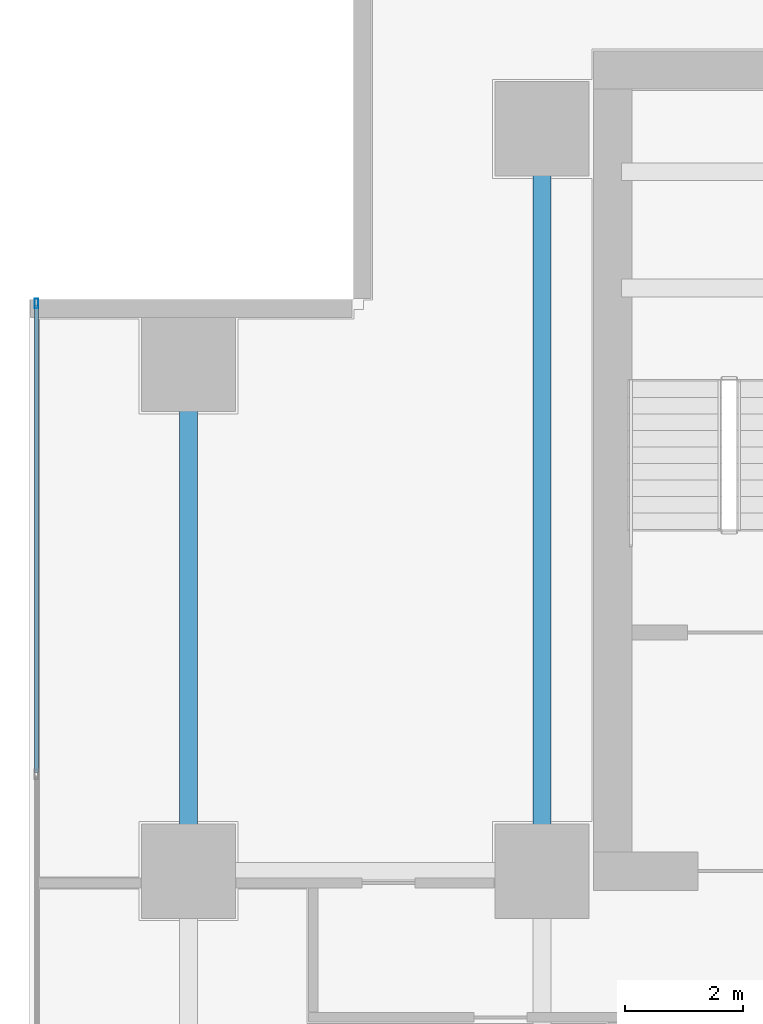
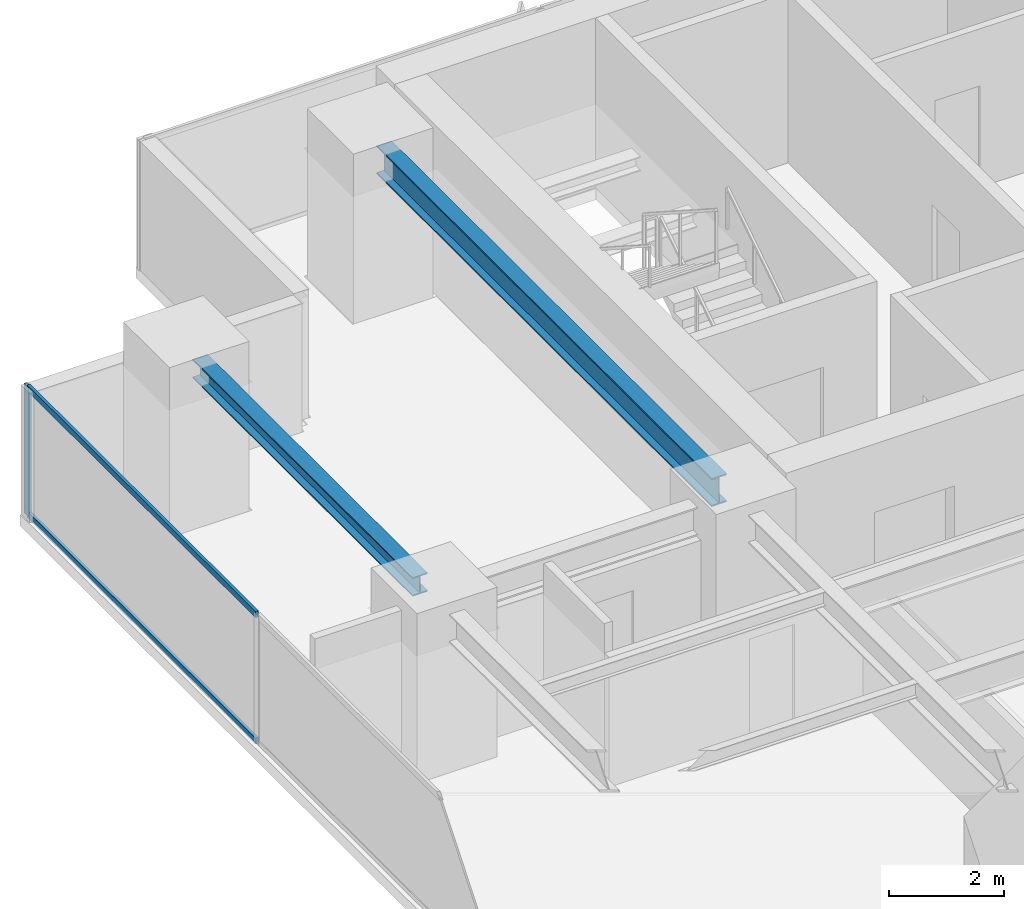
# One storey, part 18 of 35: 3 members, 2 beams, 1 element without a shape of its own.
"""IFC4 building model written with IfcOpenShell, lengths in metres."""

from ifc_helpers import new_model, si_unit, direction, frame, origin, origin_2d, place, context, subcontext, project, spatial, hollow_rectangle, i_section, extrude, source, transform, mapped, material, layer, layer_set, material_profile, profile_set, type_object, element, aggregate, save


model = new_model("IFC4")

# Units and contexts
model_context = context("Model", 3, precision=1e-05, world=origin(), true_north=direction((0.0, 1.0)))
body_context = subcontext(model_context, "Body", "Model", "MODEL_VIEW")
ifc_project = project(units=[si_unit("LENGTHUNIT", "METRE"), si_unit("AREAUNIT", "SQUARE_METRE"), si_unit("VOLUMEUNIT", "CUBIC_METRE"), si_unit("PLANEANGLEUNIT", "RADIAN"), si_unit("MASSUNIT", "GRAM", prefix="KILO")], contexts=[model_context])

# Site, building, storey
site_placement = place(None, origin())
site = spatial("IfcSite", under=ifc_project, at=site_placement, CompositionType="ELEMENT")
building_placement = place(site_placement, origin())
building = spatial("IfcBuilding", under=site, at=building_placement, Name="Sumidabori Civic Tower", CompositionType="ELEMENT")
storey_placement = place(building_placement, frame((0.0, 0.0, 102.800048828125)))
storey = spatial("IfcBuildingStorey", under=building, at=storey_placement, Name="L26", CompositionType="ELEMENT", Elevation=102.800048828125)

# Beams
ifc_material_1 = material(Name="Steel SN490", Category="steel")
ifc_material_profile_1 = material_profile(ifc_material_1, i_section(OverallWidth=0.300048828125, OverallDepth=0.39990234375, WebThickness=0.013427734375, FlangeThickness=0.02392578125, at=origin_2d()), Name="HE 400 B")
ifc_profile_set_1 = profile_set([ifc_material_profile_1], Name="Steel SN490")
beam_type_1 = type_object("IfcBeamType", Name="BM-GIRD-400", PredefinedType="BEAM", material=ifc_profile_set_1)
shared_shape_1 = source(origin(), body_context, "Body", "SweptSolid", [
    extrude(i_section(OverallWidth=0.300048828125, OverallDepth=0.39990234375, WebThickness=0.013427734375, FlangeThickness=0.02392578125, at=origin_2d()), origin(), (0.0, 0.0, 1.0), 7.64013671875),
])
beam_1_placement = place(storey_placement, frame((-22.800048828125, 10.679931640625, 3.159912109375), z_axis=(0.0, 1.0, 0.0), x_axis=(-1.0, 0.0, 0.0)))
element("IfcBeam", 1, at=beam_1_placement, inside=storey, type_object=beam_type_1, Name="Primary Girder L26 GY-24", PredefinedType="BEAM", context=body_context, shape_type="MappedRepresentation", body=[
    mapped(shared_shape_1, transform((0.0, 0.0, 0.0), x_axis=(1.0, 0.0, 0.0), y_axis=(0.0, 1.0, 0.0), z_axis=(0.0, 0.0, 1.0), scale=1.0)),
])
ifc_material_profile_2 = material_profile(ifc_material_1, i_section(OverallWidth=0.300048828125, OverallDepth=0.60009765625, WebThickness=0.015380859375, FlangeThickness=0.030029296875, at=origin_2d()), Name="HE 600 B")
ifc_profile_set_2 = profile_set([ifc_material_profile_2], Name="Steel SN490")
beam_type_2 = type_object("IfcBeamType", Name="BM-GIRD-600", PredefinedType="BEAM", material=ifc_profile_set_2)
shared_shape_2 = source(origin(), body_context, "Body", "SweptSolid", [
    extrude(i_section(OverallWidth=0.300048828125, OverallDepth=0.60009765625, WebThickness=0.015380859375, FlangeThickness=0.030029296875, at=origin_2d()), origin(), (0.0, 0.0, 1.0), 11.64013671875),
])
beam_2_placement = place(storey_placement, frame((-16.800048828125, 10.679931640625, 3.06005859375), z_axis=(0.0, 1.0, 0.0), x_axis=(-1.0, 0.0, 0.0)))
element("IfcBeam", 2, at=beam_2_placement, inside=storey, type_object=beam_type_2, Name="Primary Girder L26 GY-28", PredefinedType="BEAM", context=body_context, shape_type="MappedRepresentation", body=[
    mapped(shared_shape_2, transform((0.0, 0.0, 0.0), x_axis=(1.0, 0.0, 0.0), y_axis=(0.0, 1.0, 0.0), z_axis=(0.0, 0.0, 1.0), scale=1.0)),
])

# Curtain wall, members
ifc_material_2 = material(Name="Anodised Bronze Aluminium AW-6063-T6", Category="aluminium")
ifc_layer = layer(ifc_material_2, 0.179931640625, Name="Anodised Bronze Aluminium AW-6063-T6")
ifc_layer_set = layer_set([ifc_layer], Name="Anodised Bronze Aluminium AW-6063-T6")
curtain_wall_type = type_object("IfcCurtainWallType", Name="CW-SYS-3", PredefinedType="NOTDEFINED", material=ifc_layer_set)
curtain_wall_placement = place(storey_placement, origin())
curtain_wall = element("IfcCurtainWall", 3, at=curtain_wall_placement, inside=storey, type_object=curtain_wall_type, Name="Curtain Wall CW:L26:R10", PredefinedType="NOTDEFINED")
ifc_material_profile_3 = material_profile(ifc_material_2, hollow_rectangle(XDim=0.06494140625, YDim=0.159912109375, WallThickness=0.0048828125, at=origin_2d()), Name="ALU MULLION 160x65")
ifc_profile_set_3 = profile_set([ifc_material_profile_3], Name="Anodised Bronze Aluminium AW-6063-T6")
member_type_1 = type_object("IfcMemberType", Name="CW-MUL-160", PredefinedType="MULLION", material=ifc_profile_set_3)
shared_shape_3 = source(origin(), body_context, "Body", "SweptSolid", [
    extrude(hollow_rectangle(XDim=0.06494140625, YDim=0.159912109375, WallThickness=0.0048828125, at=origin_2d()), origin(), (0.0, 0.0, 1.0), 2.739990234375),
])
member_1_placement = place(storey_placement, frame((-25.3798828125, 19.83740234375, 0.0), z_axis=(0.0, 0.0, 1.0), x_axis=(1.0, 0.0, 0.0)))
member_1 = element("IfcMember", 4, at=member_1_placement, type_object=member_type_1, Name="CW-3 mullion 1", PredefinedType="MULLION", context=body_context, shape_type="MappedRepresentation", body=[
    mapped(shared_shape_3, transform((0.0, 0.0, 0.0), x_axis=(1.0, 0.0, 0.0), y_axis=(0.0, 1.0, 0.0), z_axis=(0.0, 0.0, 1.0), scale=1.0)),
])
ifc_material_profile_4 = material_profile(ifc_material_2, hollow_rectangle(XDim=0.06005859375, YDim=0.1298828125, WallThickness=0.0048828125, at=origin_2d()), Name="ALU TRANSOM 130x60")
ifc_profile_set_4 = profile_set([ifc_material_profile_4], Name="Anodised Bronze Aluminium AW-6063-T6")
member_type_2 = type_object("IfcMemberType", Name="CW-TRN-130", PredefinedType="USERDEFINED", material=ifc_profile_set_4)
shared_shape_4 = source(origin(), body_context, "Body", "SweptSolid", [
    extrude(hollow_rectangle(XDim=0.06005859375, YDim=0.1298828125, WallThickness=0.0048828125, at=origin_2d()), origin(), (0.0, 0.0, 1.0), 7.930419921875),
])
member_2_placement = place(storey_placement, frame((-25.3798828125, 19.804931640625, 0.030029296875), z_axis=(0.0, -1.0, 0.0), x_axis=(1.0, 0.0, 0.0)))
member_2 = element("IfcMember", 5, at=member_2_placement, type_object=member_type_2, Name="CW-3 transom 1.1", ObjectType="TRANSOM", PredefinedType="USERDEFINED", context=body_context, shape_type="MappedRepresentation", body=[
    mapped(shared_shape_4, transform((0.0, 0.0, 0.0), x_axis=(1.0, 0.0, 0.0), y_axis=(0.0, 1.0, 0.0), z_axis=(0.0, 0.0, 1.0), scale=1.0)),
])
member_3_placement = place(storey_placement, frame((-25.3798828125, 19.804931640625, 2.7099609375), z_axis=(0.0, -1.0, 0.0), x_axis=(1.0, 0.0, 0.0)))
member_3 = element("IfcMember", 6, at=member_3_placement, type_object=member_type_2, Name="CW-3 transom 1.2", ObjectType="TRANSOM", PredefinedType="USERDEFINED", context=body_context, shape_type="MappedRepresentation", body=[
    mapped(shared_shape_4, transform((0.0, 0.0, 0.0), x_axis=(1.0, 0.0, 0.0), y_axis=(0.0, 1.0, 0.0), z_axis=(0.0, 0.0, 1.0), scale=1.0)),
])
aggregate(curtain_wall, [member_1, member_2, member_3])

save(model, "model.ifc")
